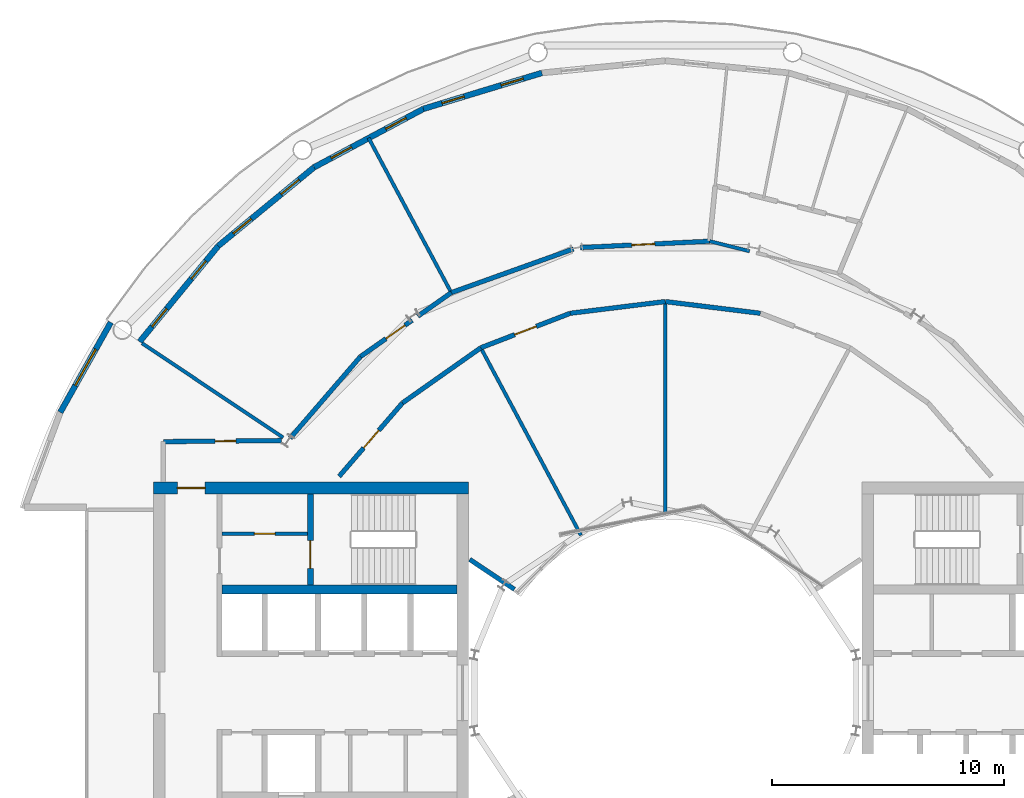
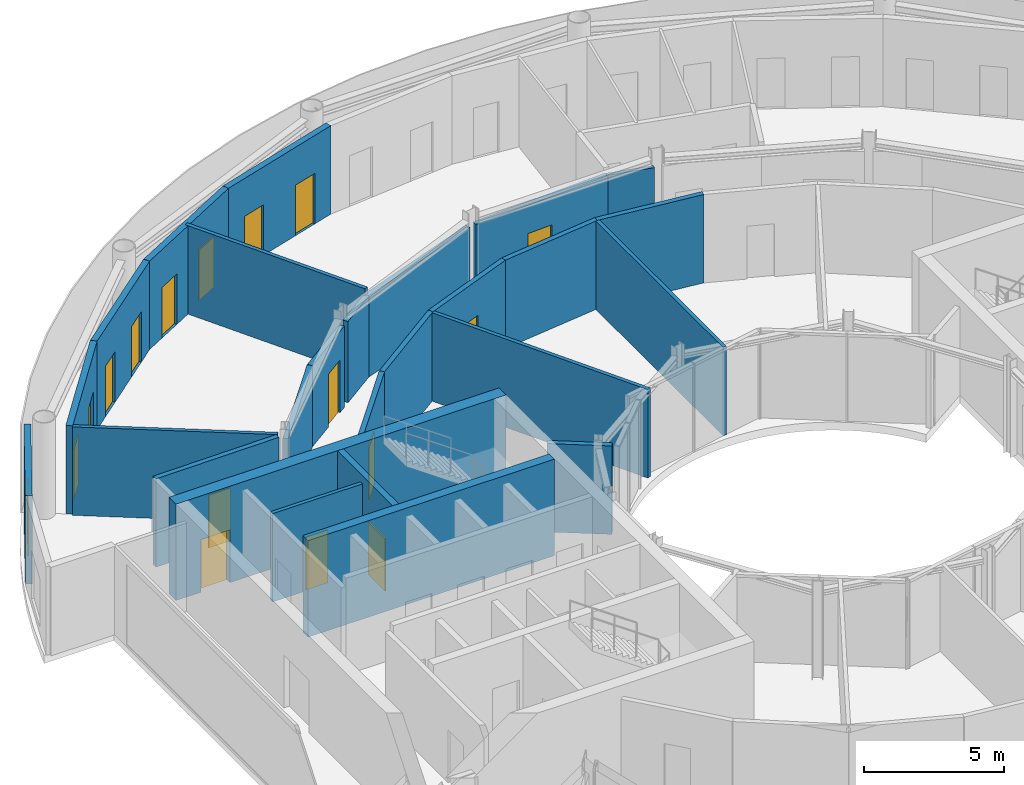
# One storey, part 16 of 21: 26 walls, 16 doors, 1 window, 17 openings.
"""IFC4 building model written with IfcOpenShell, lengths in metres."""

from ifc_helpers import new_model, si_unit, direction, frame, frame_2d, origin, place, context, subcontext, project, spatial, rectangle, extrude, material, layer, layer_set, type_object, element, fill, save


model = new_model("IFC4")

# Units and contexts
model_context = context("Model", 3, precision=1e-05, world=origin(), true_north=direction((0.0, 1.0)))
body_context = subcontext(model_context, "Body", "Model", "MODEL_VIEW")
ifc_project = project(units=[si_unit("LENGTHUNIT", "METRE"), si_unit("AREAUNIT", "SQUARE_METRE"), si_unit("VOLUMEUNIT", "CUBIC_METRE"), si_unit("PLANEANGLEUNIT", "RADIAN"), si_unit("MASSUNIT", "GRAM", prefix="KILO")], contexts=[model_context])

# Site, building, storey
site_placement = place(None, origin())
site = spatial("IfcSite", under=ifc_project, at=site_placement, CompositionType="ELEMENT")
building_placement = place(site_placement, origin())
building = spatial("IfcBuilding", under=site, at=building_placement, Name="Maasbend Ring Residences", CompositionType="ELEMENT")
storey_placement = place(building_placement, frame((0.0, 0.0, 157.39990234375)))
storey = spatial("IfcBuildingStorey", under=building, at=storey_placement, Name="L45", CompositionType="ELEMENT", Elevation=157.39990234375)

# Wall, opening, door
ifc_material_1 = material(Name="Concrete C60/75", Category="concrete")
ifc_layer_1 = layer(ifc_material_1, 0.25)
ifc_layer_set_1 = layer_set([ifc_layer_1], Name="Concrete C60/75")
wall_type_1 = type_object("IfcWallType", Name="CORE WALL 250 C60/75", PredefinedType="SHEAR", material=ifc_layer_set_1)
wall_1_placement = place(storey_placement, frame((-15.324951171875, 8.60009765625, 0.0), z_axis=(0.0, 0.0, 1.0), x_axis=(0.0, -1.0, 0.0)))
wall_1 = element("IfcWall", 1, at=wall_1_placement, inside=storey, type_object=wall_type_1, Name="L45 core W wall STES", PredefinedType="SHEAR", context=body_context, shape_type="SweptSolid", body=[
    extrude(rectangle(XDim=3.9501953125, YDim=0.25, at=frame_2d((1.97509765625, 0.0))), origin(), (0.0, 0.0, 1.0), 4.2001953125),
])
opening_1_placement = place(wall_1_placement, frame((2.02490234375, 0.0, 0.0)))
opening_1 = element("IfcOpeningElement", 2, at=opening_1_placement, cuts=wall_1, Name="Opening D-W4512", PredefinedType="OPENING", context=body_context, shape_type="SweptSolid", body=[
    extrude(rectangle(XDim=1.199951171875, YDim=2.300048828125, at=frame_2d((0.60009765625, 1.14990234375))), frame((0.0, 0.135009765625, 0.0), z_axis=(0.0, -1.0, 0.0), x_axis=(1.0, 0.0, 0.0)), (0.0, 0.0, 1.0), 0.27001953125),
])
ifc_material_2 = material(Name="Steel, powder coated", Category="steel")
door_type_1 = type_object("IfcDoorType", Name="STAIR DOOR 1200 X 2300 FD60", OperationType="NOTDEFINED", PredefinedType="DOOR", material=ifc_material_2)
door_1_placement = place(opening_1_placement, origin())
door_1 = element("IfcDoor", 3, at=door_1_placement, inside=storey, type_object=door_type_1, Name="Stair door ST-W L45", OperationType="SINGLE_SWING_LEFT", OverallHeight=2.300048828125, OverallWidth=1.199951171875, PredefinedType="DOOR", context=body_context, shape_type="SweptSolid", body=[
    extrude(rectangle(XDim=1.199951171875, YDim=2.300048828125, at=frame_2d((0.60009765625, 1.14990234375))), frame((0.0, 0.02490234375, 0.0), z_axis=(0.0, -1.0, 0.0), x_axis=(1.0, 0.0, 0.0)), (0.0, 0.0, 1.0), 0.050048828125),
])
fill(opening_1, door_1)

# Wall
ifc_material_3 = material(Name="Concrete C60/75", Category="concrete")
ifc_layer_2 = layer(ifc_material_3, 0.375)
ifc_layer_set_2 = layer_set([ifc_layer_2], Name="Concrete C60/75")
wall_type_2 = type_object("IfcWallType", Name="CORE WALL 375 C60/75", PredefinedType="SHEAR", material=ifc_layer_set_2)
wall_2_placement = place(storey_placement, frame((-9.0, 4.46240234375, 0.0), z_axis=(0.0, 0.0, 1.0), x_axis=(-1.0, 0.0, 0.0)))
element("IfcWall", 4, at=wall_2_placement, inside=storey, type_object=wall_type_2, Name="L45 core W wall BS", PredefinedType="SHEAR", context=body_context, shape_type="SweptSolid", body=[
    extrude(rectangle(XDim=10.14990234375, YDim=0.375, at=frame_2d((5.074951171875, 0.0))), origin(), (0.0, 0.0, 1.0), 4.2001953125),
])

# Wall, opening, door
ifc_material_4 = material(Name="Concrete C60/75", Category="concrete")
ifc_layer_3 = layer(ifc_material_4, 0.5)
ifc_layer_set_3 = layer_set([ifc_layer_3], Name="Concrete C60/75")
wall_type_3 = type_object("IfcWallType", Name="CORE WALL 500 C60/75", PredefinedType="SHEAR", material=ifc_layer_set_3)
wall_3_placement = place(storey_placement, frame((-8.5, 8.85009765625, 0.0), z_axis=(0.0, 0.0, 1.0), x_axis=(-1.0, 0.0, 0.0)))
wall_3 = element("IfcWall", 5, at=wall_3_placement, inside=storey, type_object=wall_type_3, Name="L45 core W wall PS", PredefinedType="SHEAR", context=body_context, shape_type="SweptSolid", body=[
    extrude(rectangle(XDim=13.60009765625, YDim=0.5, at=frame_2d((6.800048828125, 0.0))), origin(), (0.0, 0.0, 1.0), 4.2001953125),
])
opening_2_placement = place(wall_3_placement, frame((11.375, 0.0, 0.0)))
opening_2 = element("IfcOpeningElement", 6, at=opening_2_placement, cuts=wall_3, Name="Opening D-W4516", PredefinedType="OPENING", context=body_context, shape_type="SweptSolid", body=[
    extrude(rectangle(XDim=1.199951171875, YDim=2.300048828125, at=frame_2d((0.60009765625, 1.14990234375))), frame((0.0, 0.260009765625, 0.0), z_axis=(0.0, -1.0, 0.0), x_axis=(1.0, 0.0, 0.0)), (0.0, 0.0, 1.0), 0.52001953125),
])
ifc_material_5 = material(Name="Steel, powder coated", Category="steel")
door_type_2 = type_object("IfcDoorType", Name="CORRIDOR DOOR 1200 X 2300 FD30S", OperationType="NOTDEFINED", PredefinedType="DOOR", material=ifc_material_5)
door_2_placement = place(opening_2_placement, origin())
door_2 = element("IfcDoor", 7, at=door_2_placement, inside=storey, type_object=door_type_2, Name="Corridor door L45", OperationType="SINGLE_SWING_LEFT", OverallHeight=2.300048828125, OverallWidth=1.199951171875, PredefinedType="DOOR", context=body_context, shape_type="SweptSolid", body=[
    extrude(rectangle(XDim=1.199951171875, YDim=2.300048828125, at=frame_2d((0.60009765625, 1.14990234375))), frame((0.0, 0.02490234375, 0.0), z_axis=(0.0, -1.0, 0.0), x_axis=(1.0, 0.0, 0.0)), (0.0, 0.0, 1.0), 0.050048828125),
])
fill(opening_2, door_2)

ifc_material_6 = material(Name="Concrete C30/37", Category="concrete")
ifc_layer_4 = layer(ifc_material_6, 0.199951171875)
ifc_layer_set_4 = layer_set([ifc_layer_4], Name="Concrete C30/37")
wall_type_4 = type_object("IfcWallType", Name="CORRIDOR WALL 200 CONCRETE", PredefinedType="PARTITIONING", material=ifc_layer_set_4)
wall_4_placement = place(storey_placement, frame((-21.675048828125, 10.85009765625, 0.0), z_axis=(0.0, 0.0, 1.0), x_axis=(0.999954045313, 0.009586827528, 0.0)))
wall_4 = element("IfcWall", 8, at=wall_4_placement, inside=storey, type_object=wall_type_4, Name="U-L45-w052", PredefinedType="PARTITIONING", context=body_context, shape_type="SweptSolid", body=[
    extrude(rectangle(XDim=5.09326171875, YDim=0.199951171875, at=frame_2d((2.546630859375, 0.0))), origin(), (0.0, 0.0, 1.0), 3.85009765625),
])
opening_3_placement = place(wall_4_placement, frame((2.22998046875, 0.0, 0.0)))
opening_3 = element("IfcOpeningElement", 9, at=opening_3_placement, cuts=wall_4, Name="Opening D-4524", PredefinedType="OPENING", context=body_context, shape_type="SweptSolid", body=[
    extrude(rectangle(XDim=0.89990234375, YDim=2.300048828125, at=frame_2d((0.449951171875, 1.14990234375))), frame((0.0, 0.10986328125, 0.0), z_axis=(0.0, -1.0, 0.0), x_axis=(1.0, 0.0, 0.0)), (0.0, 0.0, 1.0), 0.219970703125),
])
ifc_material_7 = material(Name="Steel, fire-rated, painted", Category="steel")
door_type_3 = type_object("IfcDoorType", Name="SERVICE DOOR 900 X 2300 FIRE-RATED", OperationType="NOTDEFINED", PredefinedType="DOOR", material=ifc_material_7)
door_3_placement = place(opening_3_placement, origin())
door_3 = element("IfcDoor", 10, at=door_3_placement, inside=storey, type_object=door_type_3, Name="D-4524", OperationType="SINGLE_SWING_RIGHT", OverallHeight=2.300048828125, OverallWidth=0.89990234375, PredefinedType="DOOR", context=body_context, shape_type="SweptSolid", body=[
    extrude(rectangle(XDim=0.89990234375, YDim=2.300048828125, at=frame_2d((0.449951171875, 1.14990234375))), frame((0.0, 0.02490234375, 0.0), z_axis=(0.0, -1.0, 0.0), x_axis=(1.0, 0.0, 0.0)), (0.0, 0.0, 1.0), 0.050048828125),
])
fill(opening_3, door_3)

wall_5_placement = place(storey_placement, frame((-14.0859375, 9.35009765625, 0.0), z_axis=(0.0, 0.0, 1.0), x_axis=(0.653273870261, 0.757121687996, 0.0)))
wall_5 = element("IfcWall", 11, at=wall_5_placement, inside=storey, type_object=wall_type_4, Name="U-L45-w054", PredefinedType="PARTITIONING", context=body_context, shape_type="SweptSolid", body=[
    extrude(rectangle(XDim=4.189453125, YDim=0.199951171875, at=frame_2d((2.0947265625, 0.0))), origin(), (0.0, 0.0, 1.0), 3.85009765625),
])
opening_4_placement = place(wall_5_placement, frame((1.62109375, 0.0, 0.0)))
opening_4 = element("IfcOpeningElement", 12, at=opening_4_placement, cuts=wall_5, Name="Opening D-4515", PredefinedType="OPENING", context=body_context, shape_type="SweptSolid", body=[
    extrude(rectangle(XDim=1.0, YDim=2.300048828125, at=frame_2d((0.5, 1.14990234375))), frame((0.0, 0.10986328125, 0.0), z_axis=(0.0, -1.0, 0.0), x_axis=(1.0, 0.0, 0.0)), (0.0, 0.0, 1.0), 0.219970703125),
])
ifc_material_8 = material(Name="Timber, painted", Category="wood")
door_type_4 = type_object("IfcDoorType", Name="ROOM DOOR 1000 X 2300", OperationType="NOTDEFINED", PredefinedType="DOOR", material=ifc_material_8)
door_4_placement = place(opening_4_placement, origin())
door_4 = element("IfcDoor", 13, at=door_4_placement, inside=storey, type_object=door_type_4, Name="D-4515", OperationType="SINGLE_SWING_RIGHT", OverallHeight=2.300048828125, OverallWidth=1.0, PredefinedType="DOOR", context=body_context, shape_type="SweptSolid", body=[
    extrude(rectangle(XDim=1.0, YDim=2.300048828125, at=frame_2d((0.5, 1.14990234375))), frame((0.0, 0.02490234375, 0.0), z_axis=(0.0, -1.0, 0.0), x_axis=(1.0, 0.0, 0.0)), (0.0, 0.0, 1.0), 0.050048828125),
])
fill(opening_4, door_4)

# Wall
wall_6_placement = place(storey_placement, frame((-11.34912109375, 12.52197265625, 0.0), z_axis=(0.0, 0.0, 1.0), x_axis=(0.817567680547, 0.575832517079, 0.0)))
element("IfcWall", 14, at=wall_6_placement, inside=storey, type_object=wall_type_4, Name="U-L45-w055", PredefinedType="PARTITIONING", context=body_context, shape_type="SweptSolid", body=[
    extrude(rectangle(XDim=4.13671875, YDim=0.199951171875, at=frame_2d((2.068359375, 0.0))), origin(), (0.0, 0.0, 1.0), 3.85009765625),
])

# Wall, opening, door
wall_7_placement = place(storey_placement, frame((-7.967041015625, 14.904052734375, 0.0), z_axis=(0.0, 0.0, 1.0), x_axis=(0.932943640288, 0.360022449363, 0.0)))
wall_7 = element("IfcWall", 15, at=wall_7_placement, inside=storey, type_object=wall_type_4, Name="U-L45-w056", PredefinedType="PARTITIONING", context=body_context, shape_type="SweptSolid", body=[
    extrude(rectangle(XDim=4.138671875, YDim=0.199951171875, at=frame_2d((2.0693359375, 0.0))), origin(), (0.0, 0.0, 1.0), 3.85009765625),
])
opening_5_placement = place(wall_7_placement, frame((1.569091796875, 0.0, 0.0)))
opening_5 = element("IfcOpeningElement", 16, at=opening_5_placement, cuts=wall_7, Name="Opening D-4514", PredefinedType="OPENING", context=body_context, shape_type="SweptSolid", body=[
    extrude(rectangle(XDim=1.0, YDim=2.300048828125, at=frame_2d((0.5, 1.14990234375))), frame((0.0, 0.10986328125, 0.0), z_axis=(0.0, -1.0, 0.0), x_axis=(1.0, 0.0, 0.0)), (0.0, 0.0, 1.0), 0.219970703125),
])
door_5_placement = place(opening_5_placement, origin())
door_5 = element("IfcDoor", 17, at=door_5_placement, inside=storey, type_object=door_type_4, Name="D-4514", OperationType="SINGLE_SWING_RIGHT", OverallHeight=2.300048828125, OverallWidth=1.0, PredefinedType="DOOR", context=body_context, shape_type="SweptSolid", body=[
    extrude(rectangle(XDim=1.0, YDim=2.300048828125, at=frame_2d((0.5, 1.14990234375))), frame((0.0, 0.02490234375, 0.0), z_axis=(0.0, -1.0, 0.0), x_axis=(1.0, 0.0, 0.0)), (0.0, 0.0, 1.0), 0.050048828125),
])
fill(opening_5, door_5)

# Walls
for number, where, z_axis, x_axis, name in (
    (18, (-4.10595703125, 16.39404296875, 0.0), (0.0, 0.0, 1.0), (0.992496033272, 0.122276833211, 0.0), "U-L45-w057"),
    (19, (0.0, 16.89990234375, 0.0), (0.0, 0.0, 1.0), (0.992496033272, -0.122276833211, 0.0), "U-L45-w058"),
):
    element("IfcWall", number, at=place(storey_placement, frame(where, z_axis=z_axis, x_axis=x_axis)), inside=storey, type_object=wall_type_4, Name=name, PredefinedType="PARTITIONING", context=body_context, shape_type="SweptSolid", body=[
        extrude(rectangle(XDim=4.136962890625, YDim=0.199951171875, at=frame_2d((2.068359375, 0.0))), origin(), (0.0, 0.0, 1.0), 3.85009765625),
    ])
wall_8_placement = place(storey_placement, frame((-9.239013671875, 17.285888671875, 0.0), z_axis=(0.0, 0.0, 1.0), x_axis=(0.941550382061, 0.336872198379, 0.0)))
element("IfcWall", 20, at=wall_8_placement, inside=storey, type_object=wall_type_4, Name="U-L45-w062", PredefinedType="PARTITIONING", context=body_context, shape_type="SweptSolid", body=[
    extrude(rectangle(XDim=5.599365234375, YDim=0.199951171875, at=frame_2d((2.7998046875, 0.0))), origin(), (0.0, 0.0, 1.0), 3.5400390625),
])

# Wall, opening, door
wall_9_placement = place(storey_placement, frame((-3.672119140625, 19.22998046875, 0.0), z_axis=(0.0, 0.0, 1.0), x_axis=(0.998783562084, 0.049309188909, 0.0)))
wall_9 = element("IfcWall", 21, at=wall_9_placement, inside=storey, type_object=wall_type_4, Name="U-L45-w063", PredefinedType="PARTITIONING", context=body_context, shape_type="SweptSolid", body=[
    extrude(rectangle(XDim=5.599853515625, YDim=0.199951171875, at=frame_2d((2.7998046875, 0.0))), origin(), (0.0, 0.0, 1.0), 3.5400390625),
])
opening_6_placement = place(wall_9_placement, frame((2.22412109375, 0.0, 0.0)))
opening_6 = element("IfcOpeningElement", 22, at=opening_6_placement, cuts=wall_9, Name="Opening D-4510", PredefinedType="OPENING", context=body_context, shape_type="SweptSolid", body=[
    extrude(rectangle(XDim=1.0, YDim=2.300048828125, at=frame_2d((0.5, 1.14990234375))), frame((0.0, 0.10986328125, 0.0), z_axis=(0.0, -1.0, 0.0), x_axis=(1.0, 0.0, 0.0)), (0.0, 0.0, 1.0), 0.219970703125),
])
door_6_placement = place(opening_6_placement, origin())
door_6 = element("IfcDoor", 23, at=door_6_placement, inside=storey, type_object=door_type_4, Name="D-4510", OperationType="SINGLE_SWING_LEFT", OverallHeight=2.300048828125, OverallWidth=1.0, PredefinedType="DOOR", context=body_context, shape_type="SweptSolid", body=[
    extrude(rectangle(XDim=1.0, YDim=2.300048828125, at=frame_2d((0.5, 1.14990234375))), frame((0.0, 0.02490234375, 0.0), z_axis=(0.0, -1.0, 0.0), x_axis=(1.0, 0.0, 0.0)), (0.0, 0.0, 1.0), 0.050048828125),
])
fill(opening_6, door_6)

# Wall
wall_10_placement = place(storey_placement, frame((-16.197998046875, 11.00390625, 0.0), z_axis=(0.0, 0.0, 1.0), x_axis=(0.653094461639, 0.757276451619, 0.0)))
element("IfcWall", 24, at=wall_10_placement, inside=storey, type_object=wall_type_4, Name="U-L45-w069", PredefinedType="PARTITIONING", context=body_context, shape_type="SweptSolid", body=[
    extrude(rectangle(XDim=4.64697265625, YDim=0.199951171875, at=frame_2d((2.323486328125, 0.0))), origin(), (0.0, 0.0, 1.0), 3.5400390625),
])

# Wall, opening, door
wall_11_placement = place(storey_placement, frame((-13.1630859375, 14.52294921875, 0.0), z_axis=(0.0, 0.0, 1.0), x_axis=(0.817664396292, 0.57569517545, 0.0)))
wall_11 = element("IfcWall", 25, at=wall_11_placement, inside=storey, type_object=wall_type_4, Name="U-L45-w070", PredefinedType="PARTITIONING", context=body_context, shape_type="SweptSolid", body=[
    extrude(rectangle(XDim=2.727294921875, YDim=0.199951171875, at=frame_2d((1.36376953125, 0.0))), origin(), (0.0, 0.0, 1.0), 3.5400390625),
])
opening_7_placement = place(wall_11_placement, frame((1.35009765625, 0.0, 0.0)))
opening_7 = element("IfcOpeningElement", 26, at=opening_7_placement, cuts=wall_11, Name="Opening D-4511", PredefinedType="OPENING", context=body_context, shape_type="SweptSolid", body=[
    extrude(rectangle(XDim=1.0, YDim=2.300048828125, at=frame_2d((0.5, 1.14990234375))), frame((0.0, 0.10986328125, 0.0), z_axis=(0.0, -1.0, 0.0), x_axis=(1.0, 0.0, 0.0)), (0.0, 0.0, 1.0), 0.219970703125),
])
door_7_placement = place(opening_7_placement, origin())
door_7 = element("IfcDoor", 27, at=door_7_placement, inside=storey, type_object=door_type_4, Name="D-4511", OperationType="SINGLE_SWING_RIGHT", OverallHeight=2.300048828125, OverallWidth=1.0, PredefinedType="DOOR", context=body_context, shape_type="SweptSolid", body=[
    extrude(rectangle(XDim=1.0, YDim=2.300048828125, at=frame_2d((0.5, 1.14990234375))), frame((0.0, 0.02490234375, 0.0), z_axis=(0.0, -1.0, 0.0), x_axis=(1.0, 0.0, 0.0)), (0.0, 0.0, 1.0), 0.050048828125),
])
fill(opening_7, door_7)

# Wall
wall_12_placement = place(storey_placement, frame((-10.68798828125, 16.26611328125, 0.0), z_axis=(0.0, 0.0, 1.0), x_axis=(0.817772792535, 0.575541188613, 0.0)))
element("IfcWall", 28, at=wall_12_placement, inside=storey, type_object=wall_type_4, Name="U-L45-w071", PredefinedType="PARTITIONING", context=body_context, shape_type="SweptSolid", body=[
    extrude(rectangle(XDim=1.77197265625, YDim=0.199951171875, at=frame_2d((0.885986328125, 0.0))), origin(), (0.0, 0.0, 1.0), 3.5400390625),
])

# Wall, openings, doors
ifc_material_9 = material(Name="Aluminium clad insulated panel", Category="aluminium")
ifc_layer_5 = layer(ifc_material_9, 0.25)
ifc_layer_set_5 = layer_set([ifc_layer_5], Name="EW-GL")
wall_type_5 = type_object("IfcWallType", Name="EW-GL", PredefinedType="SOLIDWALL", material=ifc_layer_set_5)
wall_13_placement = place(storey_placement, frame((-5.325927734375, 26.77490234375, 0.0), z_axis=(0.0, 0.0, 1.0), x_axis=(-0.956965678721, -0.290201119486, 0.0)))
wall_13 = element("IfcWall", 29, at=wall_13_placement, inside=storey, type_object=wall_type_5, Name="External wall N07", PredefinedType="SOLIDWALL", context=body_context, shape_type="SweptSolid", body=[
    extrude(rectangle(XDim=5.351318359375, YDim=0.25, at=frame_2d((2.67578125, 0.0))), origin(), (0.0, 0.0, 1.0), 3.85009765625),
])
opening_8_placement = place(wall_13_placement, frame((0.841064453125, 0.0, 0.0)))
opening_8 = element("IfcOpeningElement", 30, at=opening_8_placement, cuts=wall_13, Name="Opening D-LG", PredefinedType="OPENING", context=body_context, shape_type="SweptSolid", body=[
    extrude(rectangle(XDim=1.0, YDim=2.199951171875, at=frame_2d((0.5, 1.10009765625))), frame((0.0, 0.135009765625, 0.0), z_axis=(0.0, -1.0, 0.0), x_axis=(1.0, 0.0, 0.0)), (0.0, 0.0, 1.0), 0.27001953125),
])
opening_9_placement = place(wall_13_placement, frame((3.510498046875, 0.0, 0.0)))
opening_9 = element("IfcOpeningElement", 31, at=opening_9_placement, cuts=wall_13, Name="Opening D-LG", PredefinedType="OPENING", context=body_context, shape_type="SweptSolid", body=[
    extrude(rectangle(XDim=1.0, YDim=2.199951171875, at=frame_2d((0.5, 1.10009765625))), frame((0.0, 0.135009765625, 0.0), z_axis=(0.0, -1.0, 0.0), x_axis=(1.0, 0.0, 0.0)), (0.0, 0.0, 1.0), 0.27001953125),
])
ifc_material_10 = material(Name="Aluminium and clear glass", Category="aluminium")
door_type_5 = type_object("IfcDoorType", Name="D-LG", OperationType="SINGLE_SWING_LEFT", PredefinedType="DOOR", material=ifc_material_10)
door_8_placement = place(opening_8_placement, origin())
door_8 = element("IfcDoor", 32, at=door_8_placement, inside=storey, type_object=door_type_5, Name="Loggia door N13", OperationType="SINGLE_SWING_LEFT", OverallHeight=2.199951171875, OverallWidth=1.0, PredefinedType="DOOR", context=body_context, shape_type="SweptSolid", body=[
    extrude(rectangle(XDim=1.0, YDim=2.199951171875, at=frame_2d((0.5, 1.10009765625))), frame((0.0, 0.02490234375, 0.0), z_axis=(0.0, -1.0, 0.0), x_axis=(1.0, 0.0, 0.0)), (0.0, 0.0, 1.0), 0.050048828125),
])
fill(opening_8, door_8)
door_9_placement = place(opening_9_placement, origin())
door_9 = element("IfcDoor", 33, at=door_9_placement, inside=storey, type_object=door_type_5, Name="Loggia door N14", OperationType="SINGLE_SWING_LEFT", OverallHeight=2.199951171875, OverallWidth=1.0, PredefinedType="DOOR", context=body_context, shape_type="SweptSolid", body=[
    extrude(rectangle(XDim=1.0, YDim=2.199951171875, at=frame_2d((0.5, 1.10009765625))), frame((0.0, 0.02490234375, 0.0), z_axis=(0.0, -1.0, 0.0), x_axis=(1.0, 0.0, 0.0)), (0.0, 0.0, 1.0), 0.050048828125),
])
fill(opening_9, door_9)

wall_14_placement = place(storey_placement, frame((-10.447021484375, 25.221923828125, 0.0), z_axis=(0.0, 0.0, 1.0), x_axis=(-0.881915646801, -0.471407246368, 0.0)))
wall_14 = element("IfcWall", 34, at=wall_14_placement, inside=storey, type_object=wall_type_5, Name="External wall N08", PredefinedType="SOLIDWALL", context=body_context, shape_type="SweptSolid", body=[
    extrude(rectangle(XDim=5.35205078125, YDim=0.25, at=frame_2d((2.676025390625, 0.0))), origin(), (0.0, 0.0, 1.0), 3.85009765625),
])
opening_10_placement = place(wall_14_placement, frame((0.841064453125, 0.0, 0.0)))
opening_10 = element("IfcOpeningElement", 35, at=opening_10_placement, cuts=wall_14, Name="Opening D-LG", PredefinedType="OPENING", context=body_context, shape_type="SweptSolid", body=[
    extrude(rectangle(XDim=1.0, YDim=2.199951171875, at=frame_2d((0.5, 1.10009765625))), frame((0.0, 0.135009765625, 0.0), z_axis=(0.0, -1.0, 0.0), x_axis=(1.0, 0.0, 0.0)), (0.0, 0.0, 1.0), 0.27001953125),
])
opening_11_placement = place(wall_14_placement, frame((3.510498046875, 0.0, 0.0)))
opening_11 = element("IfcOpeningElement", 36, at=opening_11_placement, cuts=wall_14, Name="Opening D-LG", PredefinedType="OPENING", context=body_context, shape_type="SweptSolid", body=[
    extrude(rectangle(XDim=1.0, YDim=2.199951171875, at=frame_2d((0.5, 1.10009765625))), frame((0.0, 0.135009765625, 0.0), z_axis=(0.0, -1.0, 0.0), x_axis=(1.0, 0.0, 0.0)), (0.0, 0.0, 1.0), 0.27001953125),
])
door_10_placement = place(opening_10_placement, origin())
door_10 = element("IfcDoor", 37, at=door_10_placement, inside=storey, type_object=door_type_5, Name="Loggia door N15", OperationType="SINGLE_SWING_LEFT", OverallHeight=2.199951171875, OverallWidth=1.0, PredefinedType="DOOR", context=body_context, shape_type="SweptSolid", body=[
    extrude(rectangle(XDim=1.0, YDim=2.199951171875, at=frame_2d((0.5, 1.10009765625))), frame((0.0, 0.02490234375, 0.0), z_axis=(0.0, -1.0, 0.0), x_axis=(1.0, 0.0, 0.0)), (0.0, 0.0, 1.0), 0.050048828125),
])
fill(opening_10, door_10)
door_11_placement = place(opening_11_placement, origin())
door_11 = element("IfcDoor", 38, at=door_11_placement, inside=storey, type_object=door_type_5, Name="Loggia door N16", OperationType="SINGLE_SWING_LEFT", OverallHeight=2.199951171875, OverallWidth=1.0, PredefinedType="DOOR", context=body_context, shape_type="SweptSolid", body=[
    extrude(rectangle(XDim=1.0, YDim=2.199951171875, at=frame_2d((0.5, 1.10009765625))), frame((0.0, 0.02490234375, 0.0), z_axis=(0.0, -1.0, 0.0), x_axis=(1.0, 0.0, 0.0)), (0.0, 0.0, 1.0), 0.050048828125),
])
fill(opening_11, door_11)

wall_15_placement = place(storey_placement, frame((-15.1669921875, 22.698974609375, 0.0), z_axis=(0.0, 0.0, 1.0), x_axis=(-0.773019449054, -0.634382322723, 0.0)))
wall_15 = element("IfcWall", 39, at=wall_15_placement, inside=storey, type_object=wall_type_5, Name="External wall N09", PredefinedType="SOLIDWALL", context=body_context, shape_type="SweptSolid", body=[
    extrude(rectangle(XDim=5.351806640625, YDim=0.25, at=frame_2d((2.67578125, 0.0))), origin(), (0.0, 0.0, 1.0), 3.85009765625),
])
opening_12_placement = place(wall_15_placement, frame((0.841064453125, 0.0, 0.0)))
opening_12 = element("IfcOpeningElement", 40, at=opening_12_placement, cuts=wall_15, Name="Opening D-LG", PredefinedType="OPENING", context=body_context, shape_type="SweptSolid", body=[
    extrude(rectangle(XDim=1.0, YDim=2.199951171875, at=frame_2d((0.5, 1.10009765625))), frame((0.0, 0.135009765625, 0.0), z_axis=(0.0, -1.0, 0.0), x_axis=(1.0, 0.0, 0.0)), (0.0, 0.0, 1.0), 0.27001953125),
])
opening_13_placement = place(wall_15_placement, frame((3.510498046875, 0.0, 0.0)))
opening_13 = element("IfcOpeningElement", 41, at=opening_13_placement, cuts=wall_15, Name="Opening D-LG", PredefinedType="OPENING", context=body_context, shape_type="SweptSolid", body=[
    extrude(rectangle(XDim=1.0, YDim=2.199951171875, at=frame_2d((0.5, 1.10009765625))), frame((0.0, 0.135009765625, 0.0), z_axis=(0.0, -1.0, 0.0), x_axis=(1.0, 0.0, 0.0)), (0.0, 0.0, 1.0), 0.27001953125),
])
door_12_placement = place(opening_12_placement, origin())
door_12 = element("IfcDoor", 42, at=door_12_placement, inside=storey, type_object=door_type_5, Name="Loggia door N17", OperationType="SINGLE_SWING_LEFT", OverallHeight=2.199951171875, OverallWidth=1.0, PredefinedType="DOOR", context=body_context, shape_type="SweptSolid", body=[
    extrude(rectangle(XDim=1.0, YDim=2.199951171875, at=frame_2d((0.5, 1.10009765625))), frame((0.0, 0.02490234375, 0.0), z_axis=(0.0, -1.0, 0.0), x_axis=(1.0, 0.0, 0.0)), (0.0, 0.0, 1.0), 0.050048828125),
])
fill(opening_12, door_12)
door_13_placement = place(opening_13_placement, origin())
door_13 = element("IfcDoor", 43, at=door_13_placement, inside=storey, type_object=door_type_5, Name="Loggia door N18", OperationType="SINGLE_SWING_LEFT", OverallHeight=2.199951171875, OverallWidth=1.0, PredefinedType="DOOR", context=body_context, shape_type="SweptSolid", body=[
    extrude(rectangle(XDim=1.0, YDim=2.199951171875, at=frame_2d((0.5, 1.10009765625))), frame((0.0, 0.02490234375, 0.0), z_axis=(0.0, -1.0, 0.0), x_axis=(1.0, 0.0, 0.0)), (0.0, 0.0, 1.0), 0.050048828125),
])
fill(opening_13, door_13)

wall_16_placement = place(storey_placement, frame((-19.303955078125, 19.303955078125, 0.0), z_axis=(0.0, 0.0, 1.0), x_axis=(-0.634382322723, -0.773019449054, 0.0)))
wall_16 = element("IfcWall", 44, at=wall_16_placement, inside=storey, type_object=wall_type_5, Name="External wall N10", PredefinedType="SOLIDWALL", context=body_context, shape_type="SweptSolid", body=[
    extrude(rectangle(XDim=5.351806640625, YDim=0.25, at=frame_2d((2.67578125, 0.0))), origin(), (0.0, 0.0, 1.0), 3.85009765625),
])
opening_14_placement = place(wall_16_placement, frame((0.841064453125, 0.0, 0.0)))
opening_14 = element("IfcOpeningElement", 45, at=opening_14_placement, cuts=wall_16, Name="Opening D-LG", PredefinedType="OPENING", context=body_context, shape_type="SweptSolid", body=[
    extrude(rectangle(XDim=1.0, YDim=2.199951171875, at=frame_2d((0.5, 1.10009765625))), frame((0.0, 0.135009765625, 0.0), z_axis=(0.0, -1.0, 0.0), x_axis=(1.0, 0.0, 0.0)), (0.0, 0.0, 1.0), 0.27001953125),
])
opening_15_placement = place(wall_16_placement, frame((3.510498046875, 0.0, 0.0)))
opening_15 = element("IfcOpeningElement", 46, at=opening_15_placement, cuts=wall_16, Name="Opening D-LG", PredefinedType="OPENING", context=body_context, shape_type="SweptSolid", body=[
    extrude(rectangle(XDim=1.0, YDim=2.199951171875, at=frame_2d((0.5, 1.10009765625))), frame((0.0, 0.135009765625, 0.0), z_axis=(0.0, -1.0, 0.0), x_axis=(1.0, 0.0, 0.0)), (0.0, 0.0, 1.0), 0.27001953125),
])
door_14_placement = place(opening_14_placement, origin())
door_14 = element("IfcDoor", 47, at=door_14_placement, inside=storey, type_object=door_type_5, Name="Loggia door N19", OperationType="SINGLE_SWING_LEFT", OverallHeight=2.199951171875, OverallWidth=1.0, PredefinedType="DOOR", context=body_context, shape_type="SweptSolid", body=[
    extrude(rectangle(XDim=1.0, YDim=2.199951171875, at=frame_2d((0.5, 1.10009765625))), frame((0.0, 0.02490234375, 0.0), z_axis=(0.0, -1.0, 0.0), x_axis=(1.0, 0.0, 0.0)), (0.0, 0.0, 1.0), 0.050048828125),
])
fill(opening_14, door_14)
door_15_placement = place(opening_15_placement, origin())
door_15 = element("IfcDoor", 48, at=door_15_placement, inside=storey, type_object=door_type_5, Name="Loggia door N20", OperationType="SINGLE_SWING_LEFT", OverallHeight=2.199951171875, OverallWidth=1.0, PredefinedType="DOOR", context=body_context, shape_type="SweptSolid", body=[
    extrude(rectangle(XDim=1.0, YDim=2.199951171875, at=frame_2d((0.5, 1.10009765625))), frame((0.0, 0.02490234375, 0.0), z_axis=(0.0, -1.0, 0.0), x_axis=(1.0, 0.0, 0.0)), (0.0, 0.0, 1.0), 0.050048828125),
])
fill(opening_15, door_15)

# Wall, opening, window
ifc_material_11 = material(Name="Aluminium clad insulated panel", Category="aluminium")
ifc_layer_6 = layer(ifc_material_11, 0.25)
ifc_layer_set_6 = layer_set([ifc_layer_6], Name="EW-HORN")
wall_type_6 = type_object("IfcWallType", Name="EW-HORN", PredefinedType="SOLIDWALL", material=ifc_layer_set_6)
wall_17_placement = place(storey_placement, frame((-23.946044921875, 16.0, 0.0), z_axis=(0.0, 0.0, 1.0), x_axis=(-0.489696356642, -0.871893042919, 0.0)))
wall_17 = element("IfcWall", 49, at=wall_17_placement, inside=storey, type_object=wall_type_6, Name="Horn wall 4.1", PredefinedType="SOLIDWALL", context=body_context, shape_type="SweptSolid", body=[
    extrude(rectangle(XDim=4.45361328125, YDim=0.25, at=frame_2d((2.226806640625, 0.0))), origin(), (0.0, 0.0, 1.0), 3.85009765625),
])
opening_16_placement = place(wall_17_placement, frame((1.32666015625, 0.0, 0.300048828125)))
opening_16 = element("IfcOpeningElement", 50, at=opening_16_placement, cuts=wall_17, Name="Opening W-BX", PredefinedType="OPENING", context=body_context, shape_type="SweptSolid", body=[
    extrude(rectangle(XDim=1.800048828125, YDim=2.10009765625, at=frame_2d((0.89990234375, 1.050048828125))), frame((0.0, 0.135009765625, 0.0), z_axis=(0.0, -1.0, 0.0), x_axis=(1.0, 0.0, 0.0)), (0.0, 0.0, 1.0), 0.27001953125),
])
ifc_material_12 = material(Name="Aluminium and clear glass", Category="aluminium")
window_type = type_object("IfcWindowType", Name="W-BX", PartitioningType="DOUBLE_PANEL_VERTICAL", PredefinedType="WINDOW", material=ifc_material_12)
window_placement = place(opening_16_placement, origin())
window = element("IfcWindow", 51, at=window_placement, inside=storey, type_object=window_type, Name="Horn window 4.1", OverallHeight=2.10009765625, OverallWidth=1.800048828125, PartitioningType="SINGLE_PANEL", PredefinedType="WINDOW", context=body_context, shape_type="SweptSolid", body=[
    extrude(rectangle(XDim=1.800048828125, YDim=2.10009765625, at=frame_2d((0.89990234375, 1.050048828125))), frame((0.0, 0.030029296875, 0.0), z_axis=(0.0, -1.0, 0.0), x_axis=(1.0, 0.0, 0.0)), (0.0, 0.0, 1.0), 0.06005859375),
])
fill(opening_16, window)

# Wall, opening, door
ifc_material_13 = material(Name="Gypsum board on steel studs", Category="steel")
ifc_layer_7 = layer(ifc_material_13, 0.14990234375)
ifc_layer_set_7 = layer_set([ifc_layer_7], Name="PARTITION 150 EI 60")
wall_type_7 = type_object("IfcWallType", Name="PARTITION 150 EI 60", PredefinedType="PARTITIONING", material=ifc_layer_set_7)
wall_18_placement = place(storey_placement, frame((-15.449951171875, 6.875, 0.0), z_axis=(0.0, 0.0, 1.0), x_axis=(-1.0, 0.0, 0.0)))
wall_18 = element("IfcWall", 52, at=wall_18_placement, inside=storey, type_object=wall_type_7, Name="L45 core W wall RHS", PredefinedType="PARTITIONING", context=body_context, shape_type="SweptSolid", body=[
    extrude(rectangle(XDim=3.699951171875, YDim=0.14990234375, at=frame_2d((1.85009765625, 0.0))), origin(), (0.0, 0.0, 1.0), 3.85009765625),
])
opening_17_placement = place(wall_18_placement, frame((1.39990234375, 0.0, 0.0)))
opening_17 = element("IfcOpeningElement", 53, at=opening_17_placement, cuts=wall_18, Name="Opening D-W4510", PredefinedType="OPENING", context=body_context, shape_type="SweptSolid", body=[
    extrude(rectangle(XDim=0.89990234375, YDim=2.300048828125, at=frame_2d((0.449951171875, 1.14990234375))), frame((0.0, 0.0849609375, 0.0), z_axis=(0.0, -1.0, 0.0), x_axis=(1.0, 0.0, 0.0)), (0.0, 0.0, 1.0), 0.169921875),
])
ifc_material_14 = material(Name="Steel, powder coated", Category="steel")
door_type_6 = type_object("IfcDoorType", Name="RISER DOOR 900 X 2300 FD60", OperationType="NOTDEFINED", PredefinedType="DOOR", material=ifc_material_14)
door_16_placement = place(opening_17_placement, origin())
door_16 = element("IfcDoor", 54, at=door_16_placement, inside=storey, type_object=door_type_6, Name="Riser door L45", OperationType="SINGLE_SWING_LEFT", OverallHeight=2.300048828125, OverallWidth=0.89990234375, PredefinedType="DOOR", context=body_context, shape_type="SweptSolid", body=[
    extrude(rectangle(XDim=0.89990234375, YDim=2.300048828125, at=frame_2d((0.449951171875, 1.14990234375))), frame((0.0, 0.02490234375, 0.0), z_axis=(0.0, -1.0, 0.0), x_axis=(1.0, 0.0, 0.0)), (0.0, 0.0, 1.0), 0.050048828125),
])
fill(opening_17, door_16)

# Walls
ifc_material_15 = material(Name="Gypsum board on steel studs", Category="steel")
ifc_layer_8 = layer(ifc_material_15, 0.14990234375)
ifc_layer_set_8 = layer_set([ifc_layer_8], Name="PARTITION 150 GYPSUM")
wall_type_8 = type_object("IfcWallType", Name="PARTITION 150 GYPSUM", PredefinedType="PARTITIONING", material=ifc_layer_set_8)
wall_19_placement = place(storey_placement, frame((-22.594970703125, 15.097900390625, 0.0), z_axis=(0.0, 0.0, 1.0), x_axis=(0.831434446288, -0.555622859075, 0.0)))
element("IfcWall", 55, at=wall_19_placement, inside=storey, type_object=wall_type_8, Name="U-L45-w026", PredefinedType="PARTITIONING", context=body_context, shape_type="SweptSolid", body=[
    extrude(rectangle(XDim=7.32470703125, YDim=0.14990234375, at=frame_2d((3.662353515625, 0.0))), origin(), (0.0, 0.0, 1.0), 3.85009765625),
])
wall_20_placement = place(storey_placement, frame((-12.81201171875, 23.965087890625, 0.0), z_axis=(0.0, 0.0, 1.0), x_axis=(0.471439510802, -0.881898399848, 0.0)))
element("IfcWall", 56, at=wall_20_placement, inside=storey, type_object=wall_type_8, Name="U-L45-w028", PredefinedType="PARTITIONING", context=body_context, shape_type="SweptSolid", body=[
    extrude(rectangle(XDim=7.57470703125, YDim=0.14990234375, at=frame_2d((3.787353515625, 0.0))), origin(), (0.0, 0.0, 1.0), 3.85009765625),
])
wall_21_placement = place(storey_placement, frame((-7.968017578125, 14.904052734375, 0.0), z_axis=(0.0, 0.0, 1.0), x_axis=(0.471460365694, -0.881887251059, 0.0)))
element("IfcWall", 57, at=wall_21_placement, inside=storey, type_object=wall_type_8, Name="U-L45-w032", PredefinedType="PARTITIONING", context=body_context, shape_type="SweptSolid", body=[
    extrude(rectangle(XDim=9.18017578125, YDim=0.14990234375, at=frame_2d((4.590087890625, 0.0))), origin(), (0.0, 0.0, 1.0), 3.85009765625),
])
wall_22_placement = place(storey_placement, frame((0.0, 7.719970703125, 0.0), z_axis=(0.0, 0.0, 1.0), x_axis=(0.0, 1.0, 0.0)))
element("IfcWall", 58, at=wall_22_placement, inside=storey, type_object=wall_type_8, Name="U-L45-w038", PredefinedType="PARTITIONING", context=body_context, shape_type="SweptSolid", body=[
    extrude(rectangle(XDim=9.179931640625, YDim=0.14990234375, at=frame_2d((4.58984375, 0.0))), origin(), (0.0, 0.0, 1.0), 3.85009765625),
])
wall_23_placement = place(storey_placement, frame((1.9208984375, 19.506103515625, 0.0), z_axis=(0.0, 0.0, 1.0), x_axis=(0.969996560647, -0.243118638391, 0.0)))
element("IfcWall", 59, at=wall_23_placement, inside=storey, type_object=wall_type_8, Name="U-L45-w064", PredefinedType="PARTITIONING", context=body_context, shape_type="SweptSolid", body=[
    extrude(rectangle(XDim=1.7734375, YDim=0.14990234375, at=frame_2d((0.88671875, 0.0))), origin(), (0.0, 0.0, 1.0), 3.5400390625),
])
ifc_material_16 = material(Name="Concrete C30/37", Category="concrete")
ifc_layer_9 = layer(ifc_material_16, 0.199951171875)
ifc_layer_set_9 = layer_set([ifc_layer_9], Name="Concrete C30/37")
wall_type_9 = type_object("IfcWallType", Name="PARTY WALL 200 CONCRETE", PredefinedType="PARTITIONING", material=ifc_layer_set_9)
wall_24_placement = place(storey_placement, frame((-6.512939453125, 4.471923828125, 0.0), z_axis=(0.0, 0.0, 1.0), x_axis=(-0.83133816625, 0.555766905579, 0.0)))
element("IfcWall", 60, at=wall_24_placement, inside=storey, type_object=wall_type_9, Name="U-L45-w050", PredefinedType="PARTITIONING", context=body_context, shape_type="SweptSolid", body=[
    extrude(rectangle(XDim=2.322998046875, YDim=0.199951171875, at=frame_2d((1.16162109375, 0.0))), origin(), (0.0, 0.0, 1.0), 3.85009765625),
])

save(model, "model.ifc")
